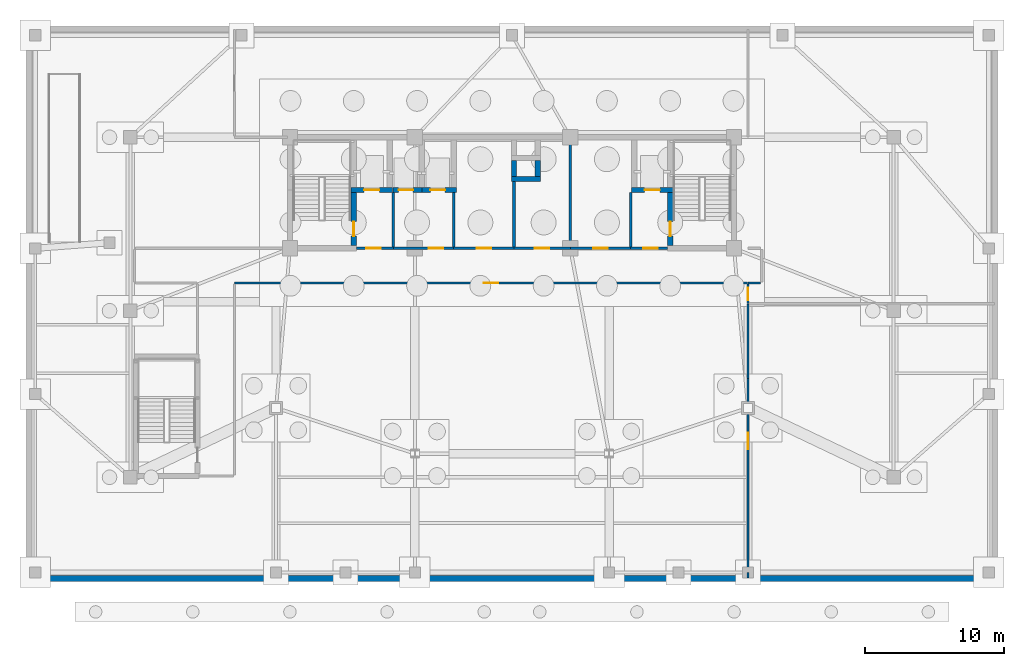
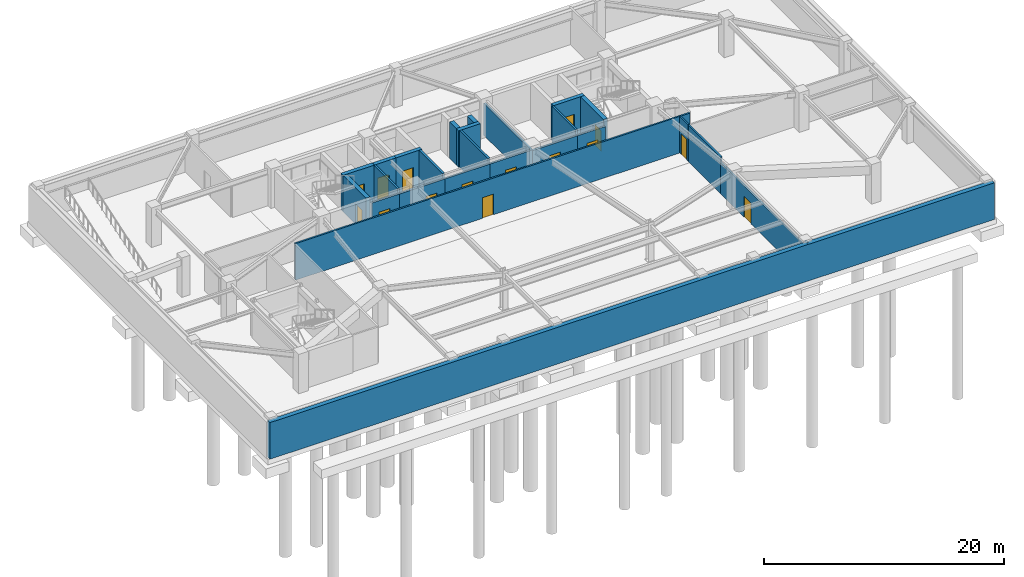
# One storey, part 5 of 10: 27 walls, 15 doors, 15 openings.
"""IFC4 building model written with IfcOpenShell, lengths in metres."""

from ifc_helpers import new_model, si_unit, direction, frame, frame_2d, origin, place, context, subcontext, project, spatial, rectangle, extrude, source, transform, mapped, material, layer, layer_set, type_object, element, fill, save


model = new_model("IFC4")

# Units and contexts
model_context = context("Model", 3, precision=1e-05, world=origin(), true_north=direction((0.0, 1.0)))
body_context = subcontext(model_context, "Body", "Model", "MODEL_VIEW")
ifc_project = project(units=[si_unit("LENGTHUNIT", "METRE"), si_unit("AREAUNIT", "SQUARE_METRE"), si_unit("VOLUMEUNIT", "CUBIC_METRE"), si_unit("PLANEANGLEUNIT", "RADIAN"), si_unit("MASSUNIT", "GRAM", prefix="KILO")], contexts=[model_context])

# Site, building, storey
site_placement = place(None, origin())
site = spatial("IfcSite", under=ifc_project, at=site_placement, CompositionType="ELEMENT")
building_placement = place(site_placement, origin())
building = spatial("IfcBuilding", under=site, at=building_placement, Name="Taldren Reach Tower", CompositionType="ELEMENT")
storey_placement = place(building_placement, frame((0.0, 0.0, -8.0)))
storey = spatial("IfcBuildingStorey", under=building, at=storey_placement, Name="B2", CompositionType="ELEMENT", Elevation=-8.0)

# Wall
ifc_material_1 = material(Name="Concrete S50 (50 MPa)", Category="concrete")
ifc_layer_1 = layer(ifc_material_1, 0.4, Name="Concrete S50 (50 MPa)", Category="concrete")
ifc_material_2 = material(Name="SBS Waterproofing Membrane", Category="bitumen")
ifc_layer_2 = layer(ifc_material_2, 0.02, Name="SBS Waterproofing Membrane", Category="bitumen")
ifc_layer_set_1 = layer_set([ifc_layer_1, ifc_layer_2], Name="Concrete 50 MPa (S50) Retaining Wall with Waterproofing Membrane")
wall_type_1 = type_object("IfcWallType", Name="EW-RET-420", PredefinedType="SOLIDWALL", material=ifc_layer_set_1)
shared_shape_1 = source(origin(), body_context, "Body", "SweptSolid", [
    extrude(rectangle(XDim=69.580078125, YDim=0.419921875, at=frame_2d((34.7900390625, 0.0))), origin(), (0.0, 0.0, 1.0), 3.719970703125),
])
wall_1_placement = place(storey_placement, frame((0.2099609375, 0.2099609375, 0.0), z_axis=(0.0, 0.0, 1.0), x_axis=(1.0, 0.0, 0.0)))
element("IfcWall", 1, at=wall_1_placement, inside=storey, type_object=wall_type_1, Name="Basement diaphragm retaining wall B2-S", PredefinedType="SOLIDWALL", context=body_context, shape_type="MappedRepresentation", body=[
    mapped(shared_shape_1, transform((0.0, 0.0, 0.0), scale=1.0)),
])

# Wall, opening, door
ifc_material_3 = material(Name="Concrete S80 (80 MPa)", Category="concrete")
ifc_layer_3 = layer(ifc_material_3, 0.3798828125)
ifc_layer_set_2 = layer_set([ifc_layer_3], Name="Concrete S80 (80 MPa)")
wall_type_2 = type_object("IfcWallType", Name="IW-CORE-380", PredefinedType="SHEAR", material=ifc_layer_set_2)
shared_shape_2 = source(origin(), body_context, "Body", "SweptSolid", [
    extrude(rectangle(XDim=3.820068359375, YDim=0.3798828125, at=frame_2d((1.91015625, 0.0))), origin(), (0.0, 0.0, 1.0), 3.719970703125),
])
wall_2_placement = place(storey_placement, frame((23.60009765625, 24.18994140625, 0.0), z_axis=(0.0, 0.0, 1.0), x_axis=(0.0, 1.0, 0.0)))
wall_2 = element("IfcWall", 2, at=wall_2_placement, inside=storey, type_object=wall_type_2, Name="Rear Core Shear Wall W-INT-B2-002", PredefinedType="SHEAR", context=body_context, shape_type="MappedRepresentation", body=[
    mapped(shared_shape_2, transform((0.0, 0.0, 0.0), scale=1.0)),
])
shared_shape_3 = source(origin(), body_context, "Body", "SweptSolid", [
    extrude(rectangle(XDim=1.050048828125, YDim=2.10009765625, at=frame_2d((0.52490234375, 1.050048828125))), frame((0.0, 0.199951171875, 0.0), z_axis=(0.0, -1.0, 0.0), x_axis=(1.0, 0.0, 0.0)), (0.0, 0.0, 1.0), 0.39990234375),
])
opening_1_placement = place(wall_2_placement, frame((0.68505859375, 0.0, 0.0)))
opening_1 = element("IfcOpeningElement", 3, at=opening_1_placement, cuts=wall_2, Name="Opening DF-105", PredefinedType="OPENING", context=body_context, shape_type="MappedRepresentation", body=[
    mapped(shared_shape_3, transform((0.0, 0.0, 0.0), scale=1.0)),
])
ifc_material_4 = material(Name="Fire-Rated Care and Stair Exit Door")
door_type_1 = type_object("IfcDoorType", Name="ID-FIRE-105", OperationType="NOTDEFINED", PredefinedType="DOOR", material=ifc_material_4)
shared_shape_4 = source(origin(), body_context, "Body", "SweptSolid", [
    extrude(rectangle(XDim=1.050048828125, YDim=2.10009765625, at=frame_2d((0.52490234375, 1.050048828125))), frame((0.0, 0.02490234375, 0.0), z_axis=(0.0, -1.0, 0.0), x_axis=(1.0, 0.0, 0.0)), (0.0, 0.0, 1.0), 0.050048828125),
])
door_1_placement = place(opening_1_placement, origin())
door_1 = element("IfcDoor", 4, at=door_1_placement, inside=storey, type_object=door_type_1, Name="Fire Exit Stair Door DR-B2-001", OperationType="SINGLE_SWING_LEFT", OverallHeight=2.10009765625, OverallWidth=1.050048828125, PredefinedType="DOOR", context=body_context, shape_type="MappedRepresentation", body=[
    mapped(shared_shape_4, transform((0.0, 0.0, 0.0), scale=1.0)),
])
fill(opening_1, door_1)

wall_3_placement = place(storey_placement, frame((46.39990234375, 28.010009765625, 0.0), z_axis=(0.0, 0.0, 1.0), x_axis=(0.0, -1.0, 0.0)))
wall_3 = element("IfcWall", 5, at=wall_3_placement, inside=storey, type_object=wall_type_2, Name="Rear Core Shear Wall W-INT-B2-009", PredefinedType="SHEAR", context=body_context, shape_type="MappedRepresentation", body=[
    mapped(shared_shape_2, transform((0.0, 0.0, 0.0), scale=1.0)),
])
opening_2_placement = place(wall_3_placement, frame((2.0849609375, 0.0, 0.0)))
opening_2 = element("IfcOpeningElement", 6, at=opening_2_placement, cuts=wall_3, Name="Opening DF-105", PredefinedType="OPENING", context=body_context, shape_type="MappedRepresentation", body=[
    mapped(shared_shape_3, transform((0.0, 0.0, 0.0), scale=1.0)),
])
door_2_placement = place(opening_2_placement, origin())
door_2 = element("IfcDoor", 7, at=door_2_placement, inside=storey, type_object=door_type_1, Name="Fire Exit Stair Door DR-B2-003", OperationType="SINGLE_SWING_RIGHT", OverallHeight=2.10009765625, OverallWidth=1.050048828125, PredefinedType="DOOR", context=body_context, shape_type="MappedRepresentation", body=[
    mapped(shared_shape_4, transform((0.0, 0.0, 0.0), scale=1.0)),
])
fill(opening_2, door_2)

shared_shape_5 = source(origin(), body_context, "Body", "SweptSolid", [
    extrude(rectangle(XDim=2.97998046875, YDim=0.3798828125, at=frame_2d((1.489990234375, 0.0))), origin(), (0.0, 0.0, 1.0), 3.719970703125),
])
wall_4_placement = place(storey_placement, frame((23.409912109375, 28.199951171875, 0.0), z_axis=(0.0, 0.0, 1.0), x_axis=(1.0, 0.0, 0.0)))
wall_4 = element("IfcWall", 8, at=wall_4_placement, inside=storey, type_object=wall_type_2, Name="Rear Core Shear Wall W-INT-B2-004", PredefinedType="SHEAR", context=body_context, shape_type="MappedRepresentation", body=[
    mapped(shared_shape_5, transform((0.0, 0.0, 0.0), scale=1.0)),
])
shared_shape_6 = source(origin(), body_context, "Body", "SweptSolid", [
    extrude(rectangle(XDim=1.10009765625, YDim=2.14990234375, at=frame_2d((0.550048828125, 1.074951171875))), frame((0.0, 0.199951171875, 0.0), z_axis=(0.0, -1.0, 0.0), x_axis=(1.0, 0.0, 0.0)), (0.0, 0.0, 1.0), 0.39990234375),
])
opening_3_placement = place(wall_4_placement, frame((0.93994140625, 0.0, 0.0)))
opening_3 = element("IfcOpeningElement", 9, at=opening_3_placement, cuts=wall_4, Name="Opening LD-FL1", PredefinedType="OPENING", context=body_context, shape_type="MappedRepresentation", body=[
    mapped(shared_shape_6, transform((0.0, 0.0, 0.0), scale=1.0)),
])
ifc_material_5 = material(Name="Stainless Steel Gr 316 Emergency Lift Landing Door", Category="steel")
door_type_2 = type_object("IfcDoorType", Name="LD-EMG-110", OperationType="SLIDING_TO_LEFT", PredefinedType="DOOR", material=ifc_material_5)
shared_shape_7 = source(origin(), body_context, "Body", "SweptSolid", [
    extrude(rectangle(XDim=1.10009765625, YDim=2.14990234375, at=frame_2d((0.550048828125, 1.074951171875))), frame((0.0, 0.02490234375, 0.0), z_axis=(0.0, -1.0, 0.0), x_axis=(1.0, 0.0, 0.0)), (0.0, 0.0, 1.0), 0.050048828125),
])
door_3_placement = place(opening_3_placement, origin())
door_3 = element("IfcDoor", 10, at=door_3_placement, inside=storey, type_object=door_type_2, Name="Lift Landing Door LD-FL1-B2", OperationType="SLIDING_TO_LEFT", OverallHeight=2.14990234375, OverallWidth=1.10009765625, PredefinedType="DOOR", context=body_context, shape_type="MappedRepresentation", body=[
    mapped(shared_shape_7, transform((0.0, 0.0, 0.0), scale=1.0)),
])
fill(opening_3, door_3)

wall_5_placement = place(storey_placement, frame((43.610107421875, 28.199951171875, 0.0), z_axis=(0.0, 0.0, 1.0), x_axis=(1.0, 0.0, 0.0)))
wall_5 = element("IfcWall", 11, at=wall_5_placement, inside=storey, type_object=wall_type_2, Name="Rear Core Shear Wall W-INT-B2-011", PredefinedType="SHEAR", context=body_context, shape_type="MappedRepresentation", body=[
    mapped(shared_shape_5, transform((0.0, 0.0, 0.0), scale=1.0)),
])
opening_4_placement = place(wall_5_placement, frame((0.93994140625, 0.0, 0.0)))
opening_4 = element("IfcOpeningElement", 12, at=opening_4_placement, cuts=wall_5, Name="Opening LD-FL2", PredefinedType="OPENING", context=body_context, shape_type="MappedRepresentation", body=[
    mapped(shared_shape_6, transform((0.0, 0.0, 0.0), scale=1.0)),
])
door_4_placement = place(opening_4_placement, origin())
door_4 = element("IfcDoor", 13, at=door_4_placement, inside=storey, type_object=door_type_2, Name="Lift Landing Door LD-FL2-B2", OperationType="SLIDING_TO_LEFT", OverallHeight=2.14990234375, OverallWidth=1.10009765625, PredefinedType="DOOR", context=body_context, shape_type="MappedRepresentation", body=[
    mapped(shared_shape_7, transform((0.0, 0.0, 0.0), scale=1.0)),
])
fill(opening_4, door_4)

# Walls
ifc_layer_4 = layer(ifc_material_1, 0.199951171875)
ifc_layer_set_3 = layer_set([ifc_layer_4], Name="Concrete S50 (50 MPa)")
wall_type_3 = type_object("IfcWallType", Name="IW-CORE-200", PredefinedType="SOLIDWALL", material=ifc_layer_set_3)
shared_shape_8 = source(origin(), body_context, "Body", "SweptSolid", [
    extrude(rectangle(XDim=3.909912109375, YDim=0.199951171875, at=frame_2d((1.955078125, 0.0))), origin(), (0.0, 0.0, 1.0), 3.719970703125),
])
for number, where, z_axis, x_axis, name in (
    (14, (26.449951171875, 24.10009765625, 0.0), (0.0, 0.0, 1.0), (0.0, 1.0, 0.0), "Rear Core Shear Wall W-INT-B2-006"),
    (15, (43.550048828125, 28.010009765625, 0.0), (0.0, 0.0, 1.0), (0.0, -1.0, 0.0), "Rear Core Shear Wall W-INT-B2-013"),
    (16, (30.800048828125, 28.010009765625, 0.0), (0.0, 0.0, 1.0), (0.0, -1.0, 0.0), "Rear Core Shear Wall W-INT-B2-025"),
):
    element("IfcWall", number, at=place(storey_placement, frame(where, z_axis=z_axis, x_axis=x_axis)), inside=storey, type_object=wall_type_3, Name=name, PredefinedType="SOLIDWALL", context=body_context, shape_type="MappedRepresentation", body=[
        mapped(shared_shape_8, transform((0.0, 0.0, 0.0), scale=1.0)),
    ])

# Wall, opening, door
shared_shape_9 = source(origin(), body_context, "Body", "SweptSolid", [
    extrude(rectangle(XDim=2.659912109375, YDim=0.199951171875, at=frame_2d((1.330078125, 0.0))), origin(), (0.0, 0.0, 1.0), 3.260009765625),
])
wall_6_placement = place(storey_placement, frame((23.7900390625, 24.0, 0.0), z_axis=(0.0, 0.0, 1.0), x_axis=(1.0, 0.0, 0.0)))
wall_6 = element("IfcWall", 17, at=wall_6_placement, inside=storey, type_object=wall_type_3, Name="Rear Core Shear Wall W-INT-B2-007", PredefinedType="SOLIDWALL", context=body_context, shape_type="MappedRepresentation", body=[
    mapped(shared_shape_9, transform((0.0, 0.0, 0.0), scale=1.0)),
])
shared_shape_10 = source(origin(), body_context, "Body", "SweptSolid", [
    extrude(rectangle(XDim=1.050048828125, YDim=2.10009765625, at=frame_2d((0.52490234375, 1.050048828125))), frame((0.0, 0.10986328125, 0.0), z_axis=(0.0, -1.0, 0.0), x_axis=(1.0, 0.0, 0.0)), (0.0, 0.0, 1.0), 0.219970703125),
])
opening_5_placement = place(wall_6_placement, frame((0.7099609375, 0.0, 0.0)))
opening_5 = element("IfcOpeningElement", 18, at=opening_5_placement, cuts=wall_6, Name="Opening DF-105", PredefinedType="OPENING", context=body_context, shape_type="MappedRepresentation", body=[
    mapped(shared_shape_10, transform((0.0, 0.0, 0.0), scale=1.0)),
])
door_5_placement = place(opening_5_placement, origin())
door_5 = element("IfcDoor", 19, at=door_5_placement, inside=storey, type_object=door_type_1, Name="Interior Door DR-B2-002", OperationType="SINGLE_SWING_LEFT", OverallHeight=2.10009765625, OverallWidth=1.050048828125, PredefinedType="DOOR", context=body_context, shape_type="MappedRepresentation", body=[
    mapped(shared_shape_4, transform((0.0, 0.0, 0.0), scale=1.0)),
])
fill(opening_5, door_5)

shared_shape_11 = source(origin(), body_context, "Body", "SweptSolid", [
    extrude(rectangle(XDim=2.659912109375, YDim=0.199951171875, at=frame_2d((1.330078125, 0.0))), origin(), (0.0, 0.0, 1.0), 3.18701171875),
])
wall_7_placement = place(storey_placement, frame((43.550048828125, 24.0, 0.0), z_axis=(0.0, 0.0, 1.0), x_axis=(1.0, 0.0, 0.0)))
wall_7 = element("IfcWall", 20, at=wall_7_placement, inside=storey, type_object=wall_type_3, Name="Rear Core Shear Wall W-INT-B2-014", PredefinedType="SOLIDWALL", context=body_context, shape_type="MappedRepresentation", body=[
    mapped(shared_shape_11, transform((0.0, 0.0, 0.0), scale=1.0)),
])
opening_6_placement = place(wall_7_placement, frame((0.89990234375, 0.0, 0.0)))
opening_6 = element("IfcOpeningElement", 21, at=opening_6_placement, cuts=wall_7, Name="Opening DF-105", PredefinedType="OPENING", context=body_context, shape_type="MappedRepresentation", body=[
    mapped(shared_shape_10, transform((0.0, 0.0, 0.0), scale=1.0)),
])
door_6_placement = place(opening_6_placement, origin())
door_6 = element("IfcDoor", 22, at=door_6_placement, inside=storey, type_object=door_type_1, Name="Interior Door DR-B2-004", OperationType="SINGLE_SWING_LEFT", OverallHeight=2.10009765625, OverallWidth=1.050048828125, PredefinedType="DOOR", context=body_context, shape_type="MappedRepresentation", body=[
    mapped(shared_shape_4, transform((0.0, 0.0, 0.0), scale=1.0)),
])
fill(opening_6, door_6)

# Walls
shared_shape_12 = source(origin(), body_context, "Body", "SweptSolid", [
    extrude(rectangle(XDim=2.080078125, YDim=0.3798828125, at=frame_2d((1.0400390625, 0.0))), origin(), (0.0, 0.0, 1.0), 3.719970703125),
])
wall_8_placement = place(storey_placement, frame((34.9599609375, 29.0, 0.0), z_axis=(0.0, 0.0, 1.0), x_axis=(1.0, 0.0, 0.0)))
element("IfcWall", 23, at=wall_8_placement, inside=storey, type_object=wall_type_2, Name="Rear Core Shear Wall W-INT-B2-019", PredefinedType="SHEAR", context=body_context, shape_type="MappedRepresentation", body=[
    mapped(shared_shape_12, transform((0.0, 0.0, 0.0), scale=1.0)),
])
shared_shape_13 = source(origin(), body_context, "Body", "SweptSolid", [
    extrude(rectangle(XDim=1.1201171875, YDim=0.3798828125, at=frame_2d((0.56005859375, 0.0))), origin(), (0.0, 0.0, 1.0), 3.719970703125),
])
for number, where, z_axis, x_axis, name in (
    (24, (35.14990234375, 30.31005859375, 0.0), (0.0, 0.0, 1.0), (0.0, -1.0, 0.0), "Rear Core Shear Wall W-INT-B2-018"),
    (25, (36.85009765625, 29.18994140625, 0.0), (0.0, 0.0, 1.0), (0.0, 1.0, 0.0), "Rear Core Shear Wall W-INT-B2-020"),
):
    element("IfcWall", number, at=place(storey_placement, frame(where, z_axis=z_axis, x_axis=x_axis)), inside=storey, type_object=wall_type_2, Name=name, PredefinedType="SHEAR", context=body_context, shape_type="MappedRepresentation", body=[
        mapped(shared_shape_13, transform((0.0, 0.0, 0.0), scale=1.0)),
    ])

# Wall, opening, door
shared_shape_14 = source(origin(), body_context, "Body", "SweptSolid", [
    extrude(rectangle(XDim=2.070068359375, YDim=0.3798828125, at=frame_2d((1.03515625, 0.0))), origin(), (0.0, 0.0, 1.0), 3.719970703125),
])
wall_9_placement = place(storey_placement, frame((26.429931640625, 28.199951171875, 0.0), z_axis=(0.0, 0.0, 1.0), x_axis=(1.0, 0.0, 0.0)))
wall_9 = element("IfcWall", 26, at=wall_9_placement, inside=storey, type_object=wall_type_2, Name="Rear Core Shear Wall W-INT-B2-022", PredefinedType="SHEAR", context=body_context, shape_type="MappedRepresentation", body=[
    mapped(shared_shape_14, transform((0.0, 0.0, 0.0), scale=1.0)),
])
shared_shape_15 = source(origin(), body_context, "Body", "SweptSolid", [
    extrude(rectangle(XDim=1.050048828125, YDim=2.14990234375, at=frame_2d((0.52490234375, 1.074951171875))), frame((0.0, 0.199951171875, 0.0), z_axis=(0.0, -1.0, 0.0), x_axis=(1.0, 0.0, 0.0)), (0.0, 0.0, 1.0), 0.39990234375),
])
opening_7_placement = place(wall_9_placement, frame((0.39501953125, 0.0, 0.0)))
opening_7 = element("IfcOpeningElement", 27, at=opening_7_placement, cuts=wall_9, Name="Opening LD-PL1", PredefinedType="OPENING", context=body_context, shape_type="MappedRepresentation", body=[
    mapped(shared_shape_15, transform((0.0, 0.0, 0.0), scale=1.0)),
])
ifc_material_6 = material(Name="Stainless Steel Gr 316 Passenger Lift Landing Door", Category="steel")
door_type_3 = type_object("IfcDoorType", Name="LD-PAS-105", OperationType="SLIDING_TO_LEFT", PredefinedType="DOOR", material=ifc_material_6)
shared_shape_16 = source(origin(), body_context, "Body", "SweptSolid", [
    extrude(rectangle(XDim=1.050048828125, YDim=2.14990234375, at=frame_2d((0.52490234375, 1.074951171875))), frame((0.0, 0.02490234375, 0.0), z_axis=(0.0, -1.0, 0.0), x_axis=(1.0, 0.0, 0.0)), (0.0, 0.0, 1.0), 0.050048828125),
])
door_7_placement = place(opening_7_placement, origin())
door_7 = element("IfcDoor", 28, at=door_7_placement, inside=storey, type_object=door_type_3, Name="Lift Landing Door LD-PL1-B2", OperationType="SLIDING_TO_LEFT", OverallHeight=2.14990234375, OverallWidth=1.050048828125, PredefinedType="DOOR", context=body_context, shape_type="MappedRepresentation", body=[
    mapped(shared_shape_16, transform((0.0, 0.0, 0.0), scale=1.0)),
])
fill(opening_7, door_7)

shared_shape_17 = source(origin(), body_context, "Body", "SweptSolid", [
    extrude(rectangle(XDim=2.489990234375, YDim=0.3798828125, at=frame_2d((1.2451171875, 0.0))), origin(), (0.0, 0.0, 1.0), 3.719970703125),
])
wall_10_placement = place(storey_placement, frame((28.5, 28.199951171875, 0.0), z_axis=(0.0, 0.0, 1.0), x_axis=(1.0, 0.0, 0.0)))
wall_10 = element("IfcWall", 29, at=wall_10_placement, inside=storey, type_object=wall_type_2, Name="Rear Core Shear Wall W-INT-B2-023", PredefinedType="SHEAR", context=body_context, shape_type="MappedRepresentation", body=[
    mapped(shared_shape_17, transform((0.0, 0.0, 0.0), scale=1.0)),
])
opening_8_placement = place(wall_10_placement, frame((0.625, 0.0, 0.0)))
opening_8 = element("IfcOpeningElement", 30, at=opening_8_placement, cuts=wall_10, Name="Opening LD-PL2", PredefinedType="OPENING", context=body_context, shape_type="MappedRepresentation", body=[
    mapped(shared_shape_15, transform((0.0, 0.0, 0.0), scale=1.0)),
])
door_8_placement = place(opening_8_placement, origin())
door_8 = element("IfcDoor", 31, at=door_8_placement, inside=storey, type_object=door_type_3, Name="Lift Landing Door LD-PL2-B2", OperationType="SLIDING_TO_LEFT", OverallHeight=2.14990234375, OverallWidth=1.050048828125, PredefinedType="DOOR", context=body_context, shape_type="MappedRepresentation", body=[
    mapped(shared_shape_16, transform((0.0, 0.0, 0.0), scale=1.0)),
])
fill(opening_8, door_8)

shared_shape_18 = source(origin(), body_context, "Body", "SweptSolid", [
    extrude(rectangle(XDim=4.35009765625, YDim=0.199951171875, at=frame_2d((2.175048828125, 0.0))), origin(), (0.0, 0.0, 1.0), 3.260009765625),
])
wall_11_placement = place(storey_placement, frame((30.800048828125, 24.0, 0.0), z_axis=(0.0, 0.0, 1.0), x_axis=(-1.0, 0.0, 0.0)))
wall_11 = element("IfcWall", 32, at=wall_11_placement, inside=storey, type_object=wall_type_3, Name="Rear Core Shear Wall W-INT-B2-026", PredefinedType="SOLIDWALL", context=body_context, shape_type="MappedRepresentation", body=[
    mapped(shared_shape_18, transform((0.0, 0.0, 0.0), scale=1.0)),
])
opening_9_placement = place(wall_11_placement, frame((0.75, 0.0, 0.0)))
opening_9 = element("IfcOpeningElement", 33, at=opening_9_placement, cuts=wall_11, Name="Opening DF-105", PredefinedType="OPENING", context=body_context, shape_type="MappedRepresentation", body=[
    mapped(shared_shape_10, transform((0.0, 0.0, 0.0), scale=1.0)),
])
door_9_placement = place(opening_9_placement, frame((1.050048828125, 0.0, 0.0), z_axis=(0.0, 0.0, 1.0), x_axis=(-1.0, 0.0, 0.0)))
door_9 = element("IfcDoor", 34, at=door_9_placement, inside=storey, type_object=door_type_1, Name="Interior Door DR-B2-005", OperationType="SINGLE_SWING_RIGHT", OverallHeight=2.10009765625, OverallWidth=1.050048828125, PredefinedType="DOOR", context=body_context, shape_type="MappedRepresentation", body=[
    mapped(shared_shape_4, transform((0.0, 0.0, 0.0), scale=1.0)),
])
fill(opening_9, door_9)

# Wall
shared_shape_19 = source(origin(), body_context, "Body", "SweptSolid", [
    extrude(rectangle(XDim=4.7099609375, YDim=0.199951171875, at=frame_2d((2.35498046875, 0.0))), origin(), (0.0, 0.0, 1.0), 3.719970703125),
])
wall_12_placement = place(storey_placement, frame((35.14990234375, 28.81005859375, 0.0), z_axis=(0.0, 0.0, 1.0), x_axis=(0.0, -1.0, 0.0)))
element("IfcWall", 35, at=wall_12_placement, inside=storey, type_object=wall_type_3, Name="Rear Core Shear Wall W-INT-B2-027", PredefinedType="SOLIDWALL", context=body_context, shape_type="MappedRepresentation", body=[
    mapped(shared_shape_19, transform((0.0, 0.0, 0.0), scale=1.0)),
])

# Wall, opening, door
shared_shape_20 = source(origin(), body_context, "Body", "SweptSolid", [
    extrude(rectangle(XDim=4.349853515625, YDim=0.199951171875, at=frame_2d((2.1748046875, 0.0))), origin(), (0.0, 0.0, 1.0), 3.260009765625),
])
wall_13_placement = place(storey_placement, frame((35.14990234375, 24.0, 0.0), z_axis=(0.0, 0.0, 1.0), x_axis=(-1.0, 0.0, 0.0)))
wall_13 = element("IfcWall", 36, at=wall_13_placement, inside=storey, type_object=wall_type_3, Name="Rear Core Shear Wall W-INT-B2-028", PredefinedType="SOLIDWALL", context=body_context, shape_type="MappedRepresentation", body=[
    mapped(shared_shape_20, transform((0.0, 0.0, 0.0), scale=1.0)),
])
opening_10_placement = place(wall_13_placement, frame((1.64990234375, 0.0, 0.0)))
opening_10 = element("IfcOpeningElement", 37, at=opening_10_placement, cuts=wall_13, Name="Opening DF-105", PredefinedType="OPENING", context=body_context, shape_type="MappedRepresentation", body=[
    mapped(shared_shape_10, transform((0.0, 0.0, 0.0), scale=1.0)),
])
door_10_placement = place(opening_10_placement, frame((1.050048828125, 0.0, 0.0), z_axis=(0.0, 0.0, 1.0), x_axis=(-1.0, 0.0, 0.0)))
door_10 = element("IfcDoor", 38, at=door_10_placement, inside=storey, type_object=door_type_1, Name="Interior Door DR-B2-006", OperationType="SINGLE_SWING_RIGHT", OverallHeight=2.10009765625, OverallWidth=1.050048828125, PredefinedType="DOOR", context=body_context, shape_type="MappedRepresentation", body=[
    mapped(shared_shape_4, transform((0.0, 0.0, 0.0), scale=1.0)),
])
fill(opening_10, door_10)

# Wall
shared_shape_21 = source(origin(), body_context, "Body", "SweptSolid", [
    extrude(rectangle(XDim=7.7099609375, YDim=0.199951171875, at=frame_2d((3.85498046875, 0.0))), origin(), (0.0, 0.0, 1.0), 3.260009765625),
])
wall_14_placement = place(storey_placement, frame((39.199951171875, 31.81005859375, 0.0), z_axis=(0.0, 0.0, 1.0), x_axis=(0.0, -1.0, 0.0)))
element("IfcWall", 39, at=wall_14_placement, inside=storey, type_object=wall_type_3, Name="Rear Core Shear Wall W-INT-B2-029", PredefinedType="SOLIDWALL", context=body_context, shape_type="MappedRepresentation", body=[
    mapped(shared_shape_21, transform((0.0, 0.0, 0.0), scale=1.0)),
])

# Wall, opening, door
shared_shape_22 = source(origin(), body_context, "Body", "SweptSolid", [
    extrude(rectangle(XDim=4.050048828125, YDim=0.199951171875, at=frame_2d((2.02490234375, 0.0))), origin(), (0.0, 0.0, 1.0), 3.260009765625),
])
wall_15_placement = place(storey_placement, frame((39.199951171875, 24.0, 0.0), z_axis=(0.0, 0.0, 1.0), x_axis=(-1.0, 0.0, 0.0)))
wall_15 = element("IfcWall", 40, at=wall_15_placement, inside=storey, type_object=wall_type_3, Name="Rear Core Shear Wall W-INT-B2-030", PredefinedType="SOLIDWALL", context=body_context, shape_type="MappedRepresentation", body=[
    mapped(shared_shape_22, transform((0.0, 0.0, 0.0), scale=1.0)),
])
opening_11_placement = place(wall_15_placement, frame((1.5, 0.0, 0.0)))
opening_11 = element("IfcOpeningElement", 41, at=opening_11_placement, cuts=wall_15, Name="Opening DF-105", PredefinedType="OPENING", context=body_context, shape_type="MappedRepresentation", body=[
    mapped(shared_shape_10, transform((0.0, 0.0, 0.0), scale=1.0)),
])
door_11_placement = place(opening_11_placement, frame((1.050048828125, 0.0, 0.0), z_axis=(0.0, 0.0, 1.0), x_axis=(-1.0, 0.0, 0.0)))
door_11 = element("IfcDoor", 42, at=door_11_placement, inside=storey, type_object=door_type_1, Name="Interior Door DR-B2-007", OperationType="SINGLE_SWING_LEFT", OverallHeight=2.10009765625, OverallWidth=1.050048828125, PredefinedType="DOOR", context=body_context, shape_type="MappedRepresentation", body=[
    mapped(shared_shape_4, transform((0.0, 0.0, 0.0), scale=1.0)),
])
fill(opening_11, door_11)

shared_shape_23 = source(origin(), body_context, "Body", "SweptSolid", [
    extrude(rectangle(XDim=4.35009765625, YDim=0.199951171875, at=frame_2d((2.175048828125, 0.0))), origin(), (0.0, 0.0, 1.0), 3.18701171875),
])
wall_16_placement = place(storey_placement, frame((43.550048828125, 24.0, 0.0), z_axis=(0.0, 0.0, 1.0), x_axis=(-1.0, 0.0, 0.0)))
wall_16 = element("IfcWall", 43, at=wall_16_placement, inside=storey, type_object=wall_type_3, Name="Rear Core Shear Wall W-INT-B2-031", PredefinedType="SOLIDWALL", context=body_context, shape_type="MappedRepresentation", body=[
    mapped(shared_shape_23, transform((0.0, 0.0, 0.0), scale=1.0)),
])
opening_12_placement = place(wall_16_placement, frame((1.64990234375, 0.0, 0.0)))
opening_12 = element("IfcOpeningElement", 44, at=opening_12_placement, cuts=wall_16, Name="Opening DF-105", PredefinedType="OPENING", context=body_context, shape_type="MappedRepresentation", body=[
    mapped(shared_shape_10, transform((0.0, 0.0, 0.0), scale=1.0)),
])
door_12_placement = place(opening_12_placement, frame((1.050048828125, 0.0, 0.0), z_axis=(0.0, 0.0, 1.0), x_axis=(-1.0, 0.0, 0.0)))
door_12 = element("IfcDoor", 45, at=door_12_placement, inside=storey, type_object=door_type_1, Name="Interior Door DR-B2-008", OperationType="SINGLE_SWING_RIGHT", OverallHeight=2.10009765625, OverallWidth=1.050048828125, PredefinedType="DOOR", context=body_context, shape_type="MappedRepresentation", body=[
    mapped(shared_shape_4, transform((0.0, 0.0, 0.0), scale=1.0)),
])
fill(opening_12, door_12)

ifc_material_7 = material(Name="Fire-Rated Acoustic Plasterboard Stud Wall", Category="gypsum")
ifc_layer_5 = layer(ifc_material_7, 0.159912109375)
ifc_layer_set_4 = layer_set([ifc_layer_5], Name="Fire-Rated Acoustic Plasterboard Stud Wall")
wall_type_4 = type_object("IfcWallType", Name="IW-FIRE-160", PredefinedType="PARTITIONING", material=ifc_layer_set_4)
shared_shape_24 = source(origin(), body_context, "Body", "SweptSolid", [
    extrude(rectangle(XDim=36.95947265625, YDim=0.159912109375, at=frame_2d((18.479736328125, 0.0))), origin(), (0.0, 0.0, 1.0), 3.719970703125),
])
wall_17_placement = place(storey_placement, frame((51.979736328125, 21.5, 0.0), z_axis=(0.0, 0.0, 1.0), x_axis=(-1.0, 0.0, 0.0)))
wall_17 = element("IfcWall", 46, at=wall_17_placement, inside=storey, type_object=wall_type_4, Name="Interior Partition Wall W-INT-B2-036", PredefinedType="PARTITIONING", context=body_context, shape_type="MappedRepresentation", body=[
    mapped(shared_shape_24, transform((0.0, 0.0, 0.0), scale=1.0)),
])
shared_shape_25 = source(origin(), body_context, "Body", "SweptSolid", [
    extrude(rectangle(XDim=1.050048828125, YDim=2.10009765625, at=frame_2d((0.52490234375, 1.050048828125))), frame((0.0, 0.08984375, 0.0), z_axis=(0.0, -1.0, 0.0), x_axis=(1.0, 0.0, 0.0)), (0.0, 0.0, 1.0), 0.179931640625),
])
opening_13_placement = place(wall_17_placement, frame((17.954833984375, 0.0, 0.0)))
opening_13 = element("IfcOpeningElement", 47, at=opening_13_placement, cuts=wall_17, Name="Opening DF-105", PredefinedType="OPENING", context=body_context, shape_type="MappedRepresentation", body=[
    mapped(shared_shape_25, transform((0.0, 0.0, 0.0), scale=1.0)),
])
door_13_placement = place(opening_13_placement, origin())
door_13 = element("IfcDoor", 48, at=door_13_placement, inside=storey, type_object=door_type_1, Name="Interior Door DR-B2-010", OperationType="SINGLE_SWING_LEFT", OverallHeight=2.10009765625, OverallWidth=1.050048828125, PredefinedType="DOOR", context=body_context, shape_type="MappedRepresentation", body=[
    mapped(shared_shape_4, transform((0.0, 0.0, 0.0), scale=1.0)),
])
fill(opening_13, door_13)

# Walls
shared_shape_26 = source(origin(), body_context, "Body", "SweptSolid", [
    extrude(rectangle(XDim=0.899658203125, YDim=0.159912109375, at=frame_2d((0.44970703125, 0.0))), origin(), (0.0, 0.0, 1.0), 3.719970703125),
])
wall_18_placement = place(storey_placement, frame((52.919921875, 21.5, 0.0), z_axis=(0.0, 0.0, 1.0), x_axis=(-1.0, 0.0, 0.0)))
element("IfcWall", 49, at=wall_18_placement, inside=storey, type_object=wall_type_4, Name="Interior Partition Wall W-INT-B2-044", PredefinedType="PARTITIONING", context=body_context, shape_type="MappedRepresentation", body=[
    mapped(shared_shape_26, transform((0.0, 0.0, 0.0), scale=1.0)),
])
shared_shape_27 = source(origin(), body_context, "Body", "SweptSolid", [
    extrude(rectangle(XDim=5.353515625, YDim=0.159912109375, at=frame_2d((2.6767578125, 0.0))), origin(), (0.0, 0.0, 1.0), 3.719970703125),
])
wall_19_placement = place(storey_placement, frame((52.0, 19.979736328125, 0.0), z_axis=(0.0, 0.0, 1.0), x_axis=(0.0, -1.0, 0.0)))
element("IfcWall", 50, at=wall_19_placement, inside=storey, type_object=wall_type_4, Name="Interior Partition Wall W-INT-B2-046", PredefinedType="PARTITIONING", context=body_context, shape_type="MappedRepresentation", body=[
    mapped(shared_shape_27, transform((0.0, 0.0, 0.0), scale=1.0)),
])

# Wall, opening, door
shared_shape_28 = source(origin(), body_context, "Body", "SweptSolid", [
    extrude(rectangle(XDim=13.976318359375, YDim=0.159912109375, at=frame_2d((6.98828125, 0.0))), origin(), (0.0, 0.0, 1.0), 3.18701171875),
])
wall_20_placement = place(storey_placement, frame((52.0, 14.626220703125, 0.0), z_axis=(0.0, 0.0, 1.0), x_axis=(0.0, -1.0, 0.0)))
wall_20 = element("IfcWall", 51, at=wall_20_placement, inside=storey, type_object=wall_type_4, Name="Interior Partition Wall W-INT-B2-046 part 2", PredefinedType="PARTITIONING", context=body_context, shape_type="MappedRepresentation", body=[
    mapped(shared_shape_28, transform((0.0, 0.0, 0.0), scale=1.0)),
])
shared_shape_29 = source(origin(), body_context, "Body", "SweptSolid", [
    extrude(rectangle(XDim=1.199951171875, YDim=2.10009765625, at=frame_2d((0.60009765625, 1.050048828125))), frame((0.0, 0.08984375, 0.0), z_axis=(0.0, -1.0, 0.0), x_axis=(1.0, 0.0, 0.0)), (0.0, 0.0, 1.0), 0.179931640625),
])
opening_14_placement = place(wall_20_placement, frame((3.92138671875, 0.0, 0.0)))
opening_14 = element("IfcOpeningElement", 52, at=opening_14_placement, cuts=wall_20, Name="Opening DG-120", PredefinedType="OPENING", context=body_context, shape_type="MappedRepresentation", body=[
    mapped(shared_shape_29, transform((0.0, 0.0, 0.0), scale=1.0)),
])
ifc_material_8 = material(Name="Galvanised Steel Gr 350 (C350L0) Plant Security Gate", Category="steel")
door_type_4 = type_object("IfcDoorType", Name="ID-GATE-120", OperationType="NOTDEFINED", PredefinedType="GATE", material=ifc_material_8)
shared_shape_30 = source(origin(), body_context, "Body", "SweptSolid", [
    extrude(rectangle(XDim=1.199951171875, YDim=2.10009765625, at=frame_2d((0.60009765625, 1.050048828125))), frame((0.0, 0.02490234375, 0.0), z_axis=(0.0, -1.0, 0.0), x_axis=(1.0, 0.0, 0.0)), (0.0, 0.0, 1.0), 0.050048828125),
])
door_14_placement = place(opening_14_placement, origin())
door_14 = element("IfcDoor", 53, at=door_14_placement, inside=storey, type_object=door_type_4, Name="Interior Door DR-B2-011", OperationType="SINGLE_SWING_RIGHT", OverallHeight=2.10009765625, OverallWidth=1.199951171875, PredefinedType="GATE", context=body_context, shape_type="MappedRepresentation", body=[
    mapped(shared_shape_30, transform((0.0, 0.0, 0.0), scale=1.0)),
])
fill(opening_14, door_14)

# Wall
shared_shape_31 = source(origin(), body_context, "Body", "SweptSolid", [
    extrude(rectangle(XDim=0.419921875, YDim=0.159912109375, at=frame_2d((0.2099609375, 0.0))), origin(), (0.0, 0.0, 1.0), 3.719970703125),
])
wall_21_placement = place(storey_placement, frame((52.0, 0.64990234375, 0.0), z_axis=(0.0, 0.0, 1.0), x_axis=(0.0, -1.0, 0.0)))
element("IfcWall", 54, at=wall_21_placement, inside=storey, type_object=wall_type_4, Name="Interior Partition Wall W-INT-B2-046 part 3", PredefinedType="PARTITIONING", context=body_context, shape_type="MappedRepresentation", body=[
    mapped(shared_shape_31, transform((0.0, 0.0, 0.0), scale=1.0)),
])

# Wall, opening, door
shared_shape_32 = source(origin(), body_context, "Body", "SweptSolid", [
    extrude(rectangle(XDim=1.399658203125, YDim=0.159912109375, at=frame_2d((0.69970703125, 0.0))), origin(), (0.0, 0.0, 1.0), 3.719970703125),
])
wall_22_placement = place(storey_placement, frame((52.0, 21.419921875, 0.0), z_axis=(0.0, 0.0, 1.0), x_axis=(0.0, -1.0, 0.0)))
wall_22 = element("IfcWall", 55, at=wall_22_placement, inside=storey, type_object=wall_type_4, Name="Interior Partition Wall W-INT-B2-047", PredefinedType="PARTITIONING", context=body_context, shape_type="MappedRepresentation", body=[
    mapped(shared_shape_32, transform((0.0, 0.0, 0.0), scale=1.0)),
])
shared_shape_33 = source(origin(), body_context, "Body", "SweptSolid", [
    extrude(rectangle(XDim=0.89990234375, YDim=2.10009765625, at=frame_2d((0.449951171875, 1.050048828125))), frame((0.0, 0.08984375, 0.0), z_axis=(0.0, -1.0, 0.0), x_axis=(1.0, 0.0, 0.0)), (0.0, 0.0, 1.0), 0.179931640625),
])
opening_15_placement = place(wall_22_placement, frame((0.25, 0.0, 0.0)))
opening_15 = element("IfcOpeningElement", 56, at=opening_15_placement, cuts=wall_22, Name="Opening DG-090", PredefinedType="OPENING", context=body_context, shape_type="MappedRepresentation", body=[
    mapped(shared_shape_33, transform((0.0, 0.0, 0.0), scale=1.0)),
])
door_type_5 = type_object("IfcDoorType", Name="ID-GATE-090", OperationType="NOTDEFINED", PredefinedType="GATE", material=ifc_material_8)
shared_shape_34 = source(origin(), body_context, "Body", "SweptSolid", [
    extrude(rectangle(XDim=0.89990234375, YDim=2.10009765625, at=frame_2d((0.449951171875, 1.050048828125))), frame((0.0, 0.02490234375, 0.0), z_axis=(0.0, -1.0, 0.0), x_axis=(1.0, 0.0, 0.0)), (0.0, 0.0, 1.0), 0.050048828125),
])
door_15_placement = place(opening_15_placement, origin())
door_15 = element("IfcDoor", 57, at=door_15_placement, inside=storey, type_object=door_type_5, Name="Interior Door DR-B2-012", OperationType="SINGLE_SWING_LEFT", OverallHeight=2.10009765625, OverallWidth=0.89990234375, PredefinedType="GATE", context=body_context, shape_type="MappedRepresentation", body=[
    mapped(shared_shape_34, transform((0.0, 0.0, 0.0), scale=1.0)),
])
fill(opening_15, door_15)

save(model, "model.ifc")
